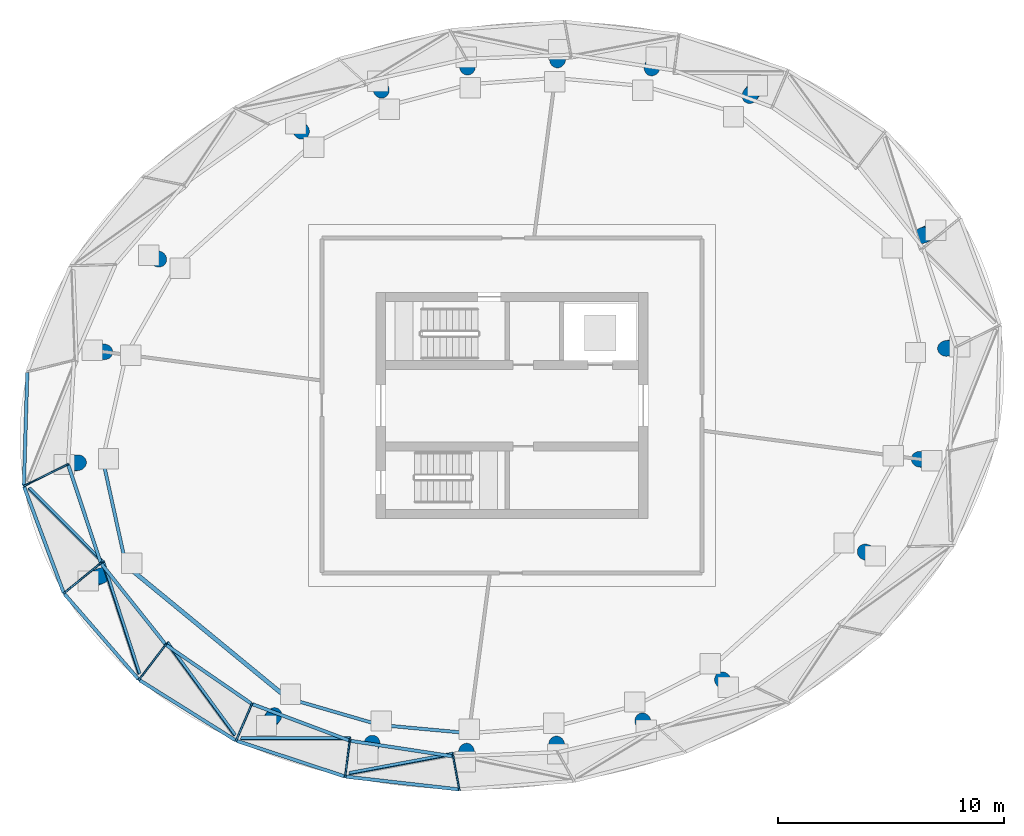
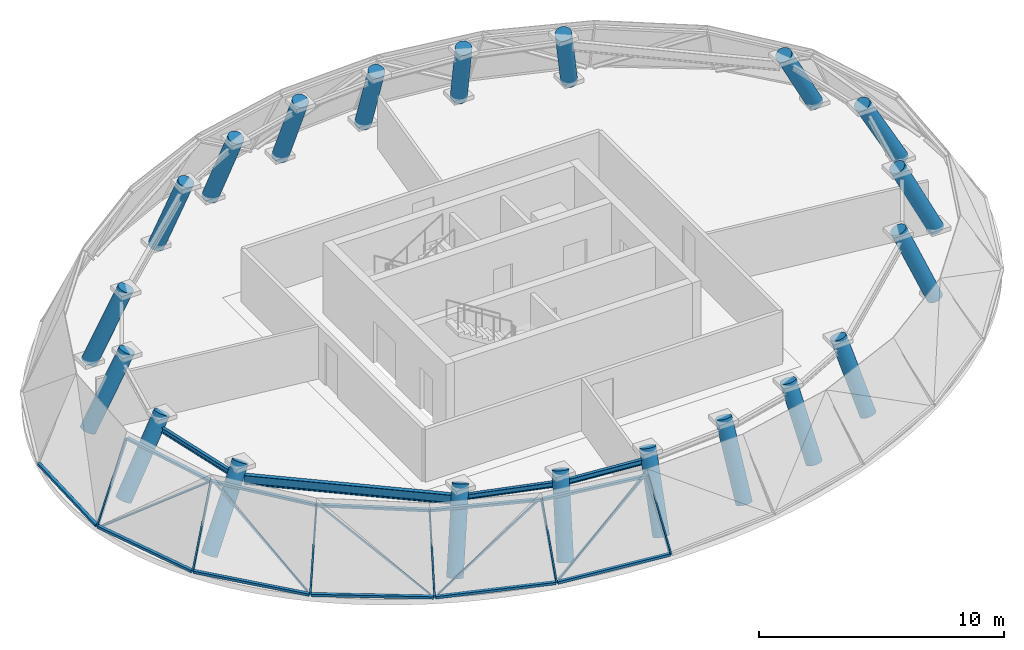
# One storey, part 1 of 9: 22 members, 20 columns, 4 beams, 12 elements without a shape of their own.
"""IFC4 building model written with IfcOpenShell, lengths in metres."""

from ifc_helpers import new_model, si_unit, direction, frame, origin, origin_2d, place, context, subcontext, project, spatial, rectangle, circle, i_section, extrude, source, transform, mapped, material, layer, layer_set, material_profile, profile_set, type_object, element, aggregate, save


model = new_model("IFC4")

# Units and contexts
model_context = context("Model", 3, precision=1e-05, world=origin(), true_north=direction((0.0, 1.0)))
body_context = subcontext(model_context, "Body", "Model", "MODEL_VIEW")
ifc_project = project(units=[si_unit("LENGTHUNIT", "METRE"), si_unit("AREAUNIT", "SQUARE_METRE"), si_unit("VOLUMEUNIT", "CUBIC_METRE"), si_unit("PLANEANGLEUNIT", "RADIAN"), si_unit("MASSUNIT", "GRAM", prefix="KILO")], contexts=[model_context])

# Site, building, storey
site_placement = place(None, origin())
site = spatial("IfcSite", under=ifc_project, at=site_placement, CompositionType="ELEMENT")
building_placement = place(site_placement, origin())
building = spatial("IfcBuilding", under=site, at=building_placement, Name="Spindrift Exchange Tower", CompositionType="ELEMENT")
storey_placement = place(building_placement, frame((0.0, 0.0, 269.60009765625)))
storey = spatial("IfcBuildingStorey", under=building, at=storey_placement, Name="L66", CompositionType="ELEMENT", Elevation=269.60009765625)

# Columns
ifc_material_1 = material(Name="Concrete 40 MPa", Category="concrete")
ifc_material_profile_1 = material_profile(ifc_material_1, circle(Radius=0.35009765625, at=origin_2d()), Name="RC D700")
ifc_profile_set_1 = profile_set([ifc_material_profile_1], Name="Concrete 40 MPa")
column_type = type_object("IfcColumnType", Name="RC Perimeter Column D700 Concrete 40 MPa", PredefinedType="COLUMN", material=ifc_profile_set_1)
shared_shape_1 = source(origin(), body_context, "Body", "SweptSolid", [
    extrude(circle(Radius=0.35009765625, at=origin_2d()), origin(), (0.0, 0.0, 1.0), 4.014404296875),
])
for number, where, z_axis, x_axis, name in (
    (1, (71.77734375, 50.603759765625, 0.17431640625), (-0.485558404991, -0.063918071599, 0.871864390525), (0.130512333023, -0.991446685873, 0.0), "Perimeter column P6-01 L66"),
    (2, (32.22265625, 45.396240234375, 0.17431640625), (0.485558404991, 0.063918071599, 0.871864390525), (-0.130512333023, 0.991446685873, 0.0), "Perimeter column P6-13 L66"),
):
    element("IfcColumn", number, at=place(storey_placement, frame(where, z_axis=z_axis, x_axis=x_axis)), inside=storey, type_object=column_type, Name=name, PredefinedType="COLUMN", context=body_context, shape_type="MappedRepresentation", body=[
        mapped(shared_shape_1, transform((0.0, 0.0, 0.0), scale=1.0)),
    ])
shared_shape_2 = source(origin(), body_context, "Body", "SweptSolid", [
    extrude(circle(Radius=0.35009765625, at=origin_2d()), origin(), (0.0, 0.0, 1.0), 4.0693359375),
])
for number, where, z_axis, x_axis, name in (
    (3, (70.719482421875, 55.75390625, 0.181396484375), (-0.471318965741, -0.195223003376, 0.860085118745), (0.382677234313, -0.923882099804, 0.0), "Perimeter column P6-02 L66"),
    (4, (33.280517578125, 40.24609375, 0.181396484375), (0.471318965741, 0.195223003376, 0.860085118745), (-0.382677234313, 0.923882099804, 0.0), "Perimeter column P6-14 L66"),
):
    element("IfcColumn", number, at=place(storey_placement, frame(where, z_axis=z_axis, x_axis=x_axis)), inside=storey, type_object=column_type, Name=name, PredefinedType="COLUMN", context=body_context, shape_type="MappedRepresentation", body=[
        mapped(shared_shape_2, transform((0.0, 0.0, 0.0), scale=1.0)),
    ])
shared_shape_3 = source(origin(), body_context, "Body", "SweptSolid", [
    extrude(circle(Radius=0.35009765625, at=origin_2d()), origin(), (0.0, 0.0, 1.0), 3.907958984375),
])
for number, where, z_axis, x_axis, name in (
    (5, (62.846923828125, 62.135986328125, 0.15869140625), (-0.270812901307, -0.352962604933, 0.895587947666), (0.793380296063, -0.608726297953, 0.0), "Perimeter column P6-04 L66"),
    (6, (41.153076171875, 33.864013671875, 0.15869140625), (0.270812901307, 0.352962604933, 0.895587947666), (-0.793380296063, 0.608726297953, 0.0), "Perimeter column P6-16 L66"),
):
    element("IfcColumn", number, at=place(storey_placement, frame(where, z_axis=z_axis, x_axis=x_axis)), inside=storey, type_object=column_type, Name=name, PredefinedType="COLUMN", context=body_context, shape_type="MappedRepresentation", body=[
        mapped(shared_shape_3, transform((0.0, 0.0, 0.0), scale=1.0)),
    ])
shared_shape_4 = source(origin(), body_context, "Body", "SweptSolid", [
    extrude(circle(Radius=0.35009765625, at=origin_2d()), origin(), (0.0, 0.0, 1.0), 3.83349609375),
])
for number, where, z_axis, x_axis, name in (
    (7, (58.37158203125, 63.382568359375, 0.145751953125), (-0.156091582457, -0.376950663633, 0.912986097963), (0.923919818464, -0.382586158989, 0.0), "Perimeter column P6-05 L66"),
    (8, (45.62841796875, 32.617431640625, 0.145751953125), (0.156091582457, 0.376950663633, 0.912986097963), (-0.923919818464, 0.382586158989, 0.0), "Perimeter column P6-17 L66"),
):
    element("IfcColumn", number, at=place(storey_placement, frame(where, z_axis=z_axis, x_axis=x_axis)), inside=storey, type_object=column_type, Name=name, PredefinedType="COLUMN", context=body_context, shape_type="MappedRepresentation", body=[
        mapped(shared_shape_4, transform((0.0, 0.0, 0.0), scale=1.0)),
    ])
shared_shape_5 = source(origin(), body_context, "Body", "SweptSolid", [
    extrude(circle(Radius=0.35009765625, at=origin_2d()), origin(), (0.0, 0.0, 1.0), 3.784423828125),
])
for number, where, z_axis, x_axis, name in (
    (9, (54.071044921875, 63.731201171875, 0.135986328125), (-0.049610189762, -0.377076149752, 0.924852640349), (0.991456027497, -0.130441349041, 0.0), "Perimeter column P6-06 L66"),
    (10, (49.928955078125, 32.268798828125, 0.135986328125), (0.049610189762, 0.377076149752, 0.924852640349), (-0.991456027497, 0.130441349041, 0.0), "Perimeter column P6-18 L66"),
):
    element("IfcColumn", number, at=place(storey_placement, frame(where, z_axis=z_axis, x_axis=x_axis)), inside=storey, type_object=column_type, Name=name, PredefinedType="COLUMN", context=body_context, shape_type="MappedRepresentation", body=[
        mapped(shared_shape_5, transform((0.0, 0.0, 0.0), scale=1.0)),
    ])
shared_shape_6 = source(origin(), body_context, "Body", "SweptSolid", [
    extrude(circle(Radius=0.35009765625, at=origin_2d()), origin(), (0.0, 0.0, 1.0), 3.75927734375),
])
for number, where, z_axis, x_axis, name in (
    (11, (49.97314453125, 63.39599609375, 0.130615234375), (0.047605122797, -0.361746976777, 0.93106008242), (0.991451871974, 0.130472930369, 0.0), "Perimeter column P6-07 L66"),
    (12, (54.02685546875, 32.60400390625, 0.130615234375), (-0.047605122797, 0.361746976777, 0.93106008242), (-0.991451871974, -0.130472930369, 0.0), "Perimeter column P6-19 L66"),
):
    element("IfcColumn", number, at=place(storey_placement, frame(where, z_axis=z_axis, x_axis=x_axis)), inside=storey, type_object=column_type, Name=name, PredefinedType="COLUMN", context=body_context, shape_type="MappedRepresentation", body=[
        mapped(shared_shape_6, transform((0.0, 0.0, 0.0), scale=1.0)),
    ])
shared_shape_7 = source(origin(), body_context, "Body", "SweptSolid", [
    extrude(circle(Radius=0.35009765625, at=origin_2d()), origin(), (0.0, 0.0, 1.0), 3.746826171875),
])
for number, where, z_axis, x_axis, name in (
    (13, (46.062744140625, 62.333984375, 0.127685546875), (0.136574670104, -0.329773094178, 0.934129041323), (0.923901142315, 0.382631257517, 0.0), "Perimeter column P6-08 L66"),
    (14, (57.937255859375, 33.666015625, 0.127685546875), (-0.136574670104, 0.329773094178, 0.934129041323), (-0.923901142315, -0.382631257517, 0.0), "Perimeter column P6-20 L66"),
):
    element("IfcColumn", number, at=place(storey_placement, frame(where, z_axis=z_axis, x_axis=x_axis)), inside=storey, type_object=column_type, Name=name, PredefinedType="COLUMN", context=body_context, shape_type="MappedRepresentation", body=[
        mapped(shared_shape_7, transform((0.0, 0.0, 0.0), scale=1.0)),
    ])
shared_shape_8 = source(origin(), body_context, "Body", "SweptSolid", [
    extrude(circle(Radius=0.35009765625, at=origin_2d()), origin(), (0.0, 0.0, 1.0), 3.73876953125),
])
for number, where, z_axis, x_axis, name in (
    (15, (42.4443359375, 60.453369140625, 0.1259765625), (0.213991301479, -0.278965773549, 0.936154805617), (0.793444906834, 0.60864207858, 0.0), "Perimeter column P6-09 L66"),
    (16, (61.5556640625, 35.546630859375, 0.1259765625), (-0.213991301479, 0.278965773549, 0.936154805617), (-0.793444906834, -0.60864207858, 0.0), "Perimeter column P6-21 L66"),
):
    element("IfcColumn", number, at=place(storey_placement, frame(where, z_axis=z_axis, x_axis=x_axis)), inside=storey, type_object=column_type, Name=name, PredefinedType="COLUMN", context=body_context, shape_type="MappedRepresentation", body=[
        mapped(shared_shape_8, transform((0.0, 0.0, 0.0), scale=1.0)),
    ])
shared_shape_9 = source(origin(), body_context, "Body", "SweptSolid", [
    extrude(circle(Radius=0.35009765625, at=origin_2d()), origin(), (0.0, 0.0, 1.0), 3.807373046875),
])
for number, where, z_axis, x_axis, name in (
    (17, (35.948486328125, 54.648681640625, 0.140625), (0.363645996148, -0.150626775693, 0.919278610613), (0.382682721486, 0.923879826967, 0.0), "Perimeter column P6-11 L66"),
    (18, (68.051513671875, 41.351318359375, 0.140625), (-0.363645996148, 0.150626775693, 0.919278610613), (-0.382682721486, -0.923879826967, 0.0), "Perimeter column P6-23 L66"),
):
    element("IfcColumn", number, at=place(storey_placement, frame(where, z_axis=z_axis, x_axis=x_axis)), inside=storey, type_object=column_type, Name=name, PredefinedType="COLUMN", context=body_context, shape_type="MappedRepresentation", body=[
        mapped(shared_shape_9, transform((0.0, 0.0, 0.0), scale=1.0)),
    ])
shared_shape_10 = source(origin(), body_context, "Body", "SweptSolid", [
    extrude(circle(Radius=0.35009765625, at=origin_2d()), origin(), (0.0, 0.0, 1.0), 3.898193359375),
])
for number, where, z_axis, x_axis, name in (
    (19, (33.4599609375, 50.44091796875, 0.156982421875), (0.436576513493, -0.057492072785, 0.897828273911), (0.13056120367, 0.9914402514, 0.0), "Perimeter column P6-12 L66"),
    (20, (70.5400390625, 45.55908203125, 0.156982421875), (-0.436576513493, 0.057492072785, 0.897828273911), (-0.13056120367, -0.9914402514, 0.0), "Perimeter column P6-24 L66"),
):
    element("IfcColumn", number, at=place(storey_placement, frame(where, z_axis=z_axis, x_axis=x_axis)), inside=storey, type_object=column_type, Name=name, PredefinedType="COLUMN", context=body_context, shape_type="MappedRepresentation", body=[
        mapped(shared_shape_10, transform((0.0, 0.0, 0.0), scale=1.0)),
    ])

# Beams
ifc_material_2 = material(Name="Steel Grade 300", Category="steel")
ifc_material_profile_2 = material_profile(ifc_material_2, i_section(OverallWidth=0.14599609375, OverallDepth=0.251953125, WebThickness=0.006103515625, FlangeThickness=0.008544921875, FilletRadius=0.011962890625, at=origin_2d()), Name="250UB31.4")
ifc_profile_set_2 = profile_set([ifc_material_profile_2], Name="Steel Grade 300")
beam_type_1 = type_object("IfcBeamType", Name="Edge Beam 250UB31.4 Steel Grade 300", PredefinedType="SPANDREL", material=ifc_profile_set_2)
shared_shape_11 = source(origin(), body_context, "Body", "SweptSolid", [
    extrude(i_section(OverallWidth=0.14599609375, OverallDepth=0.251953125, WebThickness=0.006103515625, FlangeThickness=0.008544921875, FilletRadius=0.011962890625, at=origin_2d()), origin(), (0.0, 0.0, 1.0), 4.134765625),
])
beam_1_placement = place(storey_placement, frame((33.989501953125, 45.297119140625, 3.093994140625), z_axis=(0.214159978233, -0.976798599366, 0.0), x_axis=(0.976798599366, 0.214159978233, 0.0)))
element("IfcBeam", 21, at=beam_1_placement, inside=storey, type_object=beam_type_1, Name="L66 edge beam E13", PredefinedType="SPANDREL", context=body_context, shape_type="MappedRepresentation", body=[
    mapped(shared_shape_11, transform((0.0, 0.0, 0.0), scale=1.0)),
])
ifc_material_profile_3 = material_profile(ifc_material_2, i_section(OverallWidth=0.18994140625, OverallDepth=0.45703125, WebThickness=0.009033203125, FlangeThickness=0.014404296875, FilletRadius=0.013916015625, at=origin_2d()), Name="460UB74.6")
ifc_profile_set_3 = profile_set([ifc_material_profile_3], Name="Steel Grade 300")
beam_type_2 = type_object("IfcBeamType", Name="Edge Beam 460UB74.6 Steel Grade 300", PredefinedType="SPANDREL", material=ifc_profile_set_3)
shared_shape_12 = source(origin(), body_context, "Body", "SweptSolid", [
    extrude(i_section(OverallWidth=0.18994140625, OverallDepth=0.45703125, WebThickness=0.009033203125, FlangeThickness=0.014404296875, FilletRadius=0.013916015625, at=origin_2d()), origin(), (0.0, 0.0, 1.0), 8.5751953125),
])
beam_2_placement = place(storey_placement, frame((35.200439453125, 40.726318359375, 2.991455078125), z_axis=(0.772409966966, -0.635124273612, 0.0), x_axis=(0.635124273612, 0.772409966966, 0.0)))
element("IfcBeam", 22, at=beam_2_placement, inside=storey, type_object=beam_type_2, Name="L66 edge beam E14", PredefinedType="SPANDREL", context=body_context, shape_type="MappedRepresentation", body=[
    mapped(shared_shape_12, transform((0.0, 0.0, 0.0), scale=1.0)),
])
shared_shape_13 = source(origin(), body_context, "Body", "SweptSolid", [
    extrude(i_section(OverallWidth=0.14599609375, OverallDepth=0.251953125, WebThickness=0.006103515625, FlangeThickness=0.008544921875, FilletRadius=0.011962890625, at=origin_2d()), origin(), (0.0, 0.0, 1.0), 3.583740234375),
])
beam_3_placement = place(storey_placement, frame((42.395751953125, 34.978515625, 3.093994140625), z_axis=(0.960298550949, -0.278974359119, 0.0), x_axis=(0.278974359119, 0.960298550949, 0.0)))
element("IfcBeam", 23, at=beam_3_placement, inside=storey, type_object=beam_type_1, Name="L66 edge beam E16", PredefinedType="SPANDREL", context=body_context, shape_type="MappedRepresentation", body=[
    mapped(shared_shape_13, transform((0.0, 0.0, 0.0), scale=1.0)),
])
shared_shape_14 = source(origin(), body_context, "Body", "SweptSolid", [
    extrude(i_section(OverallWidth=0.14599609375, OverallDepth=0.251953125, WebThickness=0.006103515625, FlangeThickness=0.008544921875, FilletRadius=0.011962890625, at=origin_2d()), origin(), (0.0, 0.0, 1.0), 3.296875),
])
beam_4_placement = place(storey_placement, frame((46.482666015625, 33.856689453125, 3.093994140625), z_axis=(0.995836564252, -0.091156663489, 0.0), x_axis=(0.091156663489, 0.995836564252, 0.0)))
element("IfcBeam", 24, at=beam_4_placement, inside=storey, type_object=beam_type_1, Name="L66 edge beam E17", PredefinedType="SPANDREL", context=body_context, shape_type="MappedRepresentation", body=[
    mapped(shared_shape_14, transform((0.0, 0.0, 0.0), scale=1.0)),
])

# Curtain wall, member
ifc_material_3 = material(Name="Fritted laminated glass with bronze frame", Category="glass")
ifc_layer = layer(ifc_material_3, 0.14990234375)
ifc_layer_set = layer_set([ifc_layer], Name="CROWN BRONZE RAKED GLAZED WALL")
curtain_wall_type = type_object("IfcCurtainWallType", Name="CROWN BRONZE RAKED GLAZED WALL", PredefinedType="NOTDEFINED", material=ifc_layer_set)
curtain_wall_1_placement = place(storey_placement, origin())
curtain_wall_1 = element("IfcCurtainWall", 25, at=curtain_wall_1_placement, inside=storey, type_object=curtain_wall_type, Name="L66 Crown Bronze Raked Glazed Wall facet 25", PredefinedType="NOTDEFINED")
ifc_material_4 = material(Name="Bronze anodised aluminium", Category="aluminium")
ifc_material_profile_4 = material_profile(ifc_material_4, rectangle(XDim=0.14990234375, YDim=0.1201171875, at=origin_2d()), Name="CROWN BRONZE RAKED GLAZED WALL TRANSOM 150X120")
ifc_profile_set_4 = profile_set([ifc_material_profile_4], Name="Bronze anodised aluminium")
member_type_1 = type_object("IfcMemberType", Name="CROWN BRONZE RAKED GLAZED WALL TRANSOM 150X120", PredefinedType="USERDEFINED", material=ifc_profile_set_4)
shared_shape_15 = source(origin(), body_context, "Body", "SweptSolid", [
    extrude(rectangle(XDim=0.14990234375, YDim=0.1201171875, at=origin_2d()), origin(), (0.0, 0.0, 1.0), 4.983154296875),
])
member_1_placement = place(storey_placement, frame((30.444091796875, 44.41064453125, 0.059814453125), z_axis=(0.349469202336, -0.936947851601, 0.0), x_axis=(0.936947851601, 0.349469202336, 0.0)))
member_1 = element("IfcMember", 26, at=member_1_placement, type_object=member_type_1, Name="L66 transom CW-R.13a", ObjectType="TRANSOM", PredefinedType="USERDEFINED", context=body_context, shape_type="MappedRepresentation", body=[
    mapped(shared_shape_15, transform((0.0, 0.0, 0.0), scale=1.0)),
])

# Curtain wall, members
curtain_wall_2_placement = place(storey_placement, origin())
curtain_wall_2 = element("IfcCurtainWall", 27, at=curtain_wall_2_placement, inside=storey, type_object=curtain_wall_type, Name="L66 Crown Bronze Raked Glazed Wall facet 26", PredefinedType="NOTDEFINED")
shared_shape_16 = source(origin(), body_context, "Body", "SweptSolid", [
    extrude(rectangle(XDim=0.14990234375, YDim=0.1201171875, at=origin_2d()), origin(), (0.0, 0.0, 1.0), 4.533203125),
])
member_2_placement = place(storey_placement, frame((32.393798828125, 45.375732421875, 3.159912109375), z_axis=(0.315112723988, -0.949054250916, 0.0), x_axis=(0.949054250916, 0.315112723988, 0.0)))
member_2 = element("IfcMember", 28, at=member_2_placement, type_object=member_type_1, Name="L66 transom CW-R.13b", ObjectType="TRANSOM", PredefinedType="USERDEFINED", context=body_context, shape_type="MappedRepresentation", body=[
    mapped(shared_shape_16, transform((0.0, 0.0, 0.0), scale=1.0)),
])
ifc_material_profile_5 = material_profile(ifc_material_4, rectangle(XDim=0.070068359375, YDim=0.14990234375, at=origin_2d()), Name="CROWN BRONZE RAKED GLAZED WALL MULLION 70X150")
ifc_profile_set_5 = profile_set([ifc_material_profile_5], Name="Bronze anodised aluminium")
member_type_2 = type_object("IfcMemberType", Name="CROWN BRONZE RAKED GLAZED WALL MULLION 70X150", PredefinedType="MULLION", material=ifc_profile_set_5)
shared_shape_17 = source(origin(), body_context, "Body", "SweptSolid", [
    extrude(rectangle(XDim=0.070068359375, YDim=0.14990234375, at=origin_2d()), origin(), (0.0, 0.0, 1.0), 3.785400390625),
])
member_3_placement = place(storey_placement, frame((30.457275390625, 44.4560546875, 0.0419921875), z_axis=(0.5019650267, 0.248434958608, 0.828439003978), x_axis=(-0.443571045789, 0.896239213234, 0.0)))
member_3 = element("IfcMember", 29, at=member_3_placement, type_object=member_type_2, Name="L66 mullion CW-R.13", PredefinedType="MULLION", context=body_context, shape_type="MappedRepresentation", body=[
    mapped(shared_shape_17, transform((0.0, 0.0, 0.0), scale=1.0)),
])
aggregate(curtain_wall_2, [member_2, member_3])

# Member
shared_shape_18 = source(origin(), body_context, "Body", "SweptSolid", [
    extrude(rectangle(XDim=0.070068359375, YDim=0.14990234375, at=origin_2d()), origin(), (0.0, 0.0, 1.0), 5.565673828125),
])
member_4_placement = place(storey_placement, frame((30.669189453125, 44.345458984375, 0.062255859375), z_axis=(0.58749733632, -0.587804398319, 0.55617701241), x_axis=(0.140893518342, 0.751097678345, 0.644981623051)))
member_4 = element("IfcMember", 30, at=member_4_placement, type_object=member_type_2, Name="L66 glazing bar CW-R.13", PredefinedType="MULLION", context=body_context, shape_type="MappedRepresentation", body=[
    mapped(shared_shape_18, transform((0.0, 0.0, 0.0), scale=1.0)),
])

aggregate(curtain_wall_1, [member_1, member_4])

# Curtain wall, member
curtain_wall_3_placement = place(storey_placement, origin())
curtain_wall_3 = element("IfcCurtainWall", 31, at=curtain_wall_3_placement, inside=storey, type_object=curtain_wall_type, Name="L66 Crown Bronze Raked Glazed Wall facet 27", PredefinedType="NOTDEFINED")
shared_shape_19 = source(origin(), body_context, "Body", "SweptSolid", [
    extrude(rectangle(XDim=0.14990234375, YDim=0.1201171875, at=origin_2d()), origin(), (0.0, 0.0, 1.0), 4.9912109375),
])
member_5_placement = place(storey_placement, frame((35.4912109375, 35.912353515625, 0.059814453125), z_axis=(-0.655267540961, 0.755396882283, 0.0), x_axis=(-0.755396882283, -0.655267540961, 0.0)))
member_5 = element("IfcMember", 32, at=member_5_placement, type_object=member_type_1, Name="L66 transom CW-R.14a", ObjectType="TRANSOM", PredefinedType="USERDEFINED", context=body_context, shape_type="MappedRepresentation", body=[
    mapped(shared_shape_19, transform((0.0, 0.0, 0.0), scale=1.0)),
])

curtain_wall_4_placement = place(storey_placement, origin())
curtain_wall_4 = element("IfcCurtainWall", 33, at=curtain_wall_4_placement, inside=storey, type_object=curtain_wall_type, Name="L66 Crown Bronze Raked Glazed Wall facet 28", PredefinedType="NOTDEFINED")
shared_shape_20 = source(origin(), body_context, "Body", "SweptSolid", [
    extrude(rectangle(XDim=0.14990234375, YDim=0.1201171875, at=origin_2d()), origin(), (0.0, 0.0, 1.0), 4.5400390625),
])
member_6_placement = place(storey_placement, frame((36.6826171875, 37.460693359375, 3.159912109375), z_axis=(-0.62281769166, 0.78236700017, 0.0), x_axis=(-0.78236700017, -0.62281769166, 0.0)))
member_6 = element("IfcMember", 34, at=member_6_placement, type_object=member_type_1, Name="L66 transom CW-R.14b", ObjectType="TRANSOM", PredefinedType="USERDEFINED", context=body_context, shape_type="MappedRepresentation", body=[
    mapped(shared_shape_20, transform((0.0, 0.0, 0.0), scale=1.0)),
])

# Member
shared_shape_21 = source(origin(), body_context, "Body", "SweptSolid", [
    extrude(rectangle(XDim=0.070068359375, YDim=0.14990234375, at=origin_2d()), origin(), (0.0, 0.0, 1.0), 3.750732421875),
])
member_7_placement = place(storey_placement, frame((32.218505859375, 39.72607421875, 0.041015625), z_axis=(0.424974947125, 0.345825071845, 0.836541280511), x_axis=(-0.631178333431, 0.77563774496, 0.0)))
member_7 = element("IfcMember", 35, at=member_7_placement, type_object=member_type_2, Name="L66 mullion CW-R.14", PredefinedType="MULLION", context=body_context, shape_type="MappedRepresentation", body=[
    mapped(shared_shape_21, transform((0.0, 0.0, 0.0), scale=1.0)),
])

aggregate(curtain_wall_3, [member_5, member_7])

shared_shape_22 = source(origin(), body_context, "Body", "SweptSolid", [
    extrude(rectangle(XDim=0.070068359375, YDim=0.14990234375, at=origin_2d()), origin(), (0.0, 0.0, 1.0), 6.052978515625),
])
member_8_placement = place(storey_placement, frame((35.5322265625, 36.160400390625, 0.064453125), z_axis=(-0.266530204402, 0.817418450727, 0.510674775716), x_axis=(-0.689072709061, 0.208854092306, -0.693944356382)))
member_8 = element("IfcMember", 36, at=member_8_placement, type_object=member_type_2, Name="L66 glazing bar CW-R.14", PredefinedType="MULLION", context=body_context, shape_type="MappedRepresentation", body=[
    mapped(shared_shape_22, transform((0.0, 0.0, 0.0), scale=1.0)),
])

aggregate(curtain_wall_4, [member_6, member_8])

# Curtain wall, member
curtain_wall_5_placement = place(storey_placement, origin())
curtain_wall_5 = element("IfcCurtainWall", 37, at=curtain_wall_5_placement, inside=storey, type_object=curtain_wall_type, Name="L66 Crown Bronze Raked Glazed Wall facet 29", PredefinedType="NOTDEFINED")
shared_shape_23 = source(origin(), body_context, "Body", "SweptSolid", [
    extrude(rectangle(XDim=0.14990234375, YDim=0.1201171875, at=origin_2d()), origin(), (0.0, 0.0, 1.0), 4.999267578125),
])
member_9_placement = place(storey_placement, frame((39.779541015625, 33.212158203125, 0.059814453125), z_axis=(-0.847311689252, 0.531095943551, 0.0), x_axis=(-0.531095943551, -0.847311689252, 0.0)))
member_9 = element("IfcMember", 38, at=member_9_placement, type_object=member_type_1, Name="L66 transom CW-R.15a", ObjectType="TRANSOM", PredefinedType="USERDEFINED", context=body_context, shape_type="MappedRepresentation", body=[
    mapped(shared_shape_23, transform((0.0, 0.0, 0.0), scale=1.0)),
])

curtain_wall_6_placement = place(storey_placement, origin())
curtain_wall_6 = element("IfcCurtainWall", 39, at=curtain_wall_6_placement, inside=storey, type_object=curtain_wall_type, Name="L66 Crown Bronze Raked Glazed Wall facet 30", PredefinedType="NOTDEFINED")
shared_shape_24 = source(origin(), body_context, "Body", "SweptSolid", [
    extrude(rectangle(XDim=0.14990234375, YDim=0.1201171875, at=origin_2d()), origin(), (0.0, 0.0, 1.0), 4.546630859375),
])
member_10_placement = place(storey_placement, frame((40.477783203125, 34.8349609375, 3.159912109375), z_axis=(-0.82361239241, 0.567153089623, 0.0), x_axis=(-0.567153089623, -0.82361239241, 0.0)))
member_10 = element("IfcMember", 40, at=member_10_placement, type_object=member_type_1, Name="L66 transom CW-R.15b", ObjectType="TRANSOM", PredefinedType="USERDEFINED", context=body_context, shape_type="MappedRepresentation", body=[
    mapped(shared_shape_24, transform((0.0, 0.0, 0.0), scale=1.0)),
])

# Member
shared_shape_25 = source(origin(), body_context, "Body", "SweptSolid", [
    extrude(rectangle(XDim=0.070068359375, YDim=0.14990234375, at=origin_2d()), origin(), (0.0, 0.0, 1.0), 3.674560546875),
])
member_11_placement = place(storey_placement, frame((35.528564453125, 35.904541015625, 0.038818359375), z_axis=(0.316058772705, 0.411002641991, 0.855092790563), x_axis=(-0.792714492796, 0.609593087978, 0.0)))
member_11 = element("IfcMember", 41, at=member_11_placement, type_object=member_type_2, Name="L66 mullion CW-R.15", PredefinedType="MULLION", context=body_context, shape_type="MappedRepresentation", body=[
    mapped(shared_shape_25, transform((0.0, 0.0, 0.0), scale=1.0)),
])

aggregate(curtain_wall_5, [member_9, member_11])

shared_shape_26 = source(origin(), body_context, "Body", "SweptSolid", [
    extrude(rectangle(XDim=0.070068359375, YDim=0.14990234375, at=origin_2d()), origin(), (0.0, 0.0, 1.0), 5.918212890625),
])
member_12_placement = place(storey_placement, frame((39.75244140625, 33.449462890625, 0.063720703125), z_axis=(-0.503764568735, 0.687911721932, 0.522492796233), x_axis=(-0.706329531677, 0.020190940785, -0.707595165749)))
member_12 = element("IfcMember", 42, at=member_12_placement, type_object=member_type_2, Name="L66 glazing bar CW-R.15", PredefinedType="MULLION", context=body_context, shape_type="MappedRepresentation", body=[
    mapped(shared_shape_26, transform((0.0, 0.0, 0.0), scale=1.0)),
])

aggregate(curtain_wall_6, [member_10, member_12])

# Curtain wall, member
curtain_wall_7_placement = place(storey_placement, origin())
curtain_wall_7 = element("IfcCurtainWall", 43, at=curtain_wall_7_placement, inside=storey, type_object=curtain_wall_type, Name="L66 Crown Bronze Raked Glazed Wall facet 31", PredefinedType="NOTDEFINED")
shared_shape_27 = source(origin(), body_context, "Body", "SweptSolid", [
    extrude(rectangle(XDim=0.14990234375, YDim=0.1201171875, at=origin_2d()), origin(), (0.0, 0.0, 1.0), 5.003662109375),
])
member_13_placement = place(storey_placement, frame((39.842529296875, 33.1826171875, 0.059814453125), z_axis=(0.949814055386, -0.312815057489, 0.0), x_axis=(0.312815057489, 0.949814055386, 0.0)))
member_13 = element("IfcMember", 44, at=member_13_placement, type_object=member_type_1, Name="L66 transom CW-R.16a", ObjectType="TRANSOM", PredefinedType="USERDEFINED", context=body_context, shape_type="MappedRepresentation", body=[
    mapped(shared_shape_27, transform((0.0, 0.0, 0.0), scale=1.0)),
])

# Curtain wall, members
curtain_wall_8_placement = place(storey_placement, origin())
curtain_wall_8 = element("IfcCurtainWall", 45, at=curtain_wall_8_placement, inside=storey, type_object=curtain_wall_type, Name="L66 Crown Bronze Raked Glazed Wall facet 32", PredefinedType="NOTDEFINED")
shared_shape_28 = source(origin(), body_context, "Body", "SweptSolid", [
    extrude(rectangle(XDim=0.14990234375, YDim=0.1201171875, at=origin_2d()), origin(), (0.0, 0.0, 1.0), 4.55078125),
])
member_14_placement = place(storey_placement, frame((40.539306640625, 34.802734375, 3.159912109375), z_axis=(0.93618358211, -0.351511451575, 0.0), x_axis=(0.351511451575, 0.93618358211, 0.0)))
member_14 = element("IfcMember", 46, at=member_14_placement, type_object=member_type_1, Name="L66 transom CW-R.16b", ObjectType="TRANSOM", PredefinedType="USERDEFINED", context=body_context, shape_type="MappedRepresentation", body=[
    mapped(shared_shape_28, transform((0.0, 0.0, 0.0), scale=1.0)),
])
shared_shape_29 = source(origin(), body_context, "Body", "SweptSolid", [
    extrude(rectangle(XDim=0.070068359375, YDim=0.14990234375, at=origin_2d()), origin(), (0.0, 0.0, 1.0), 3.58984375),
])
member_15_placement = place(storey_placement, frame((39.81689453125, 33.2119140625, 0.035888671875), z_axis=(0.189950714935, 0.441518095724, 0.876915330602), x_axis=(-0.918595228851, 0.395199703355, 0.0)))
member_15 = element("IfcMember", 47, at=member_15_placement, type_object=member_type_2, Name="L66 mullion CW-R.16", PredefinedType="MULLION", context=body_context, shape_type="MappedRepresentation", body=[
    mapped(shared_shape_29, transform((0.0, 0.0, 0.0), scale=1.0)),
])
aggregate(curtain_wall_8, [member_14, member_15])

# Member
shared_shape_30 = source(origin(), body_context, "Body", "SweptSolid", [
    extrude(rectangle(XDim=0.070068359375, YDim=0.14990234375, at=origin_2d()), origin(), (0.0, 0.0, 1.0), 5.732666015625),
])
member_16_placement = place(storey_placement, frame((40.03076171875, 33.301513671875, 0.06298828125), z_axis=(0.841875077524, -0.000468465492, 0.539672247187), x_axis=(-0.459573699909, 0.523603844855, 0.717377883688)))
member_16 = element("IfcMember", 48, at=member_16_placement, type_object=member_type_2, Name="L66 glazing bar CW-R.16", PredefinedType="MULLION", context=body_context, shape_type="MappedRepresentation", body=[
    mapped(shared_shape_30, transform((0.0, 0.0, 0.0), scale=1.0)),
])

aggregate(curtain_wall_7, [member_13, member_16])

# Curtain wall, member
curtain_wall_9_placement = place(storey_placement, origin())
curtain_wall_9 = element("IfcCurtainWall", 49, at=curtain_wall_9_placement, inside=storey, type_object=curtain_wall_type, Name="L66 Crown Bronze Raked Glazed Wall facet 33", PredefinedType="NOTDEFINED")
shared_shape_31 = source(origin(), body_context, "Body", "SweptSolid", [
    extrude(rectangle(XDim=0.14990234375, YDim=0.1201171875, at=origin_2d()), origin(), (0.0, 0.0, 1.0), 5.006103515625),
])
member_17_placement = place(storey_placement, frame((44.6630859375, 31.6025390625, 0.059814453125), z_axis=(0.993672597982, -0.112315484327, 0.0), x_axis=(0.112315484327, 0.993672597982, 0.0)))
member_17 = element("IfcMember", 50, at=member_17_placement, type_object=member_type_1, Name="L66 transom CW-R.17a", ObjectType="TRANSOM", PredefinedType="USERDEFINED", context=body_context, shape_type="MappedRepresentation", body=[
    mapped(shared_shape_31, transform((0.0, 0.0, 0.0), scale=1.0)),
])

# Curtain wall, members
curtain_wall_10_placement = place(storey_placement, origin())
curtain_wall_10 = element("IfcCurtainWall", 51, at=curtain_wall_10_placement, inside=storey, type_object=curtain_wall_type, Name="L66 Crown Bronze Raked Glazed Wall facet 34", PredefinedType="NOTDEFINED")
shared_shape_32 = source(origin(), body_context, "Body", "SweptSolid", [
    extrude(rectangle(XDim=0.14990234375, YDim=0.1201171875, at=origin_2d()), origin(), (0.0, 0.0, 1.0), 4.552734375),
])
member_18_placement = place(storey_placement, frame((44.866943359375, 33.185546875, 3.159912109375), z_axis=(0.988728497465, -0.149719598922, 0.0), x_axis=(0.149719598922, 0.988728497465, 0.0)))
member_18 = element("IfcMember", 52, at=member_18_placement, type_object=member_type_1, Name="L66 transom CW-R.17b", ObjectType="TRANSOM", PredefinedType="USERDEFINED", context=body_context, shape_type="MappedRepresentation", body=[
    mapped(shared_shape_32, transform((0.0, 0.0, 0.0), scale=1.0)),
])
shared_shape_33 = source(origin(), body_context, "Body", "SweptSolid", [
    extrude(rectangle(XDim=0.070068359375, YDim=0.14990234375, at=origin_2d()), origin(), (0.0, 0.0, 1.0), 3.52001953125),
])
member_19_placement = place(storey_placement, frame((44.63037109375, 31.622802734375, 0.033203125), z_axis=(0.056803842257, 0.440767298588, 0.895822254691), x_axis=(-0.991797662481, 0.127817826211, 0.0)))
member_19 = element("IfcMember", 53, at=member_19_placement, type_object=member_type_2, Name="L66 mullion CW-R.17", PredefinedType="MULLION", context=body_context, shape_type="MappedRepresentation", body=[
    mapped(shared_shape_33, transform((0.0, 0.0, 0.0), scale=1.0)),
])
aggregate(curtain_wall_10, [member_18, member_19])

# Member
shared_shape_34 = source(origin(), body_context, "Body", "SweptSolid", [
    extrude(rectangle(XDim=0.070068359375, YDim=0.14990234375, at=origin_2d()), origin(), (0.0, 0.0, 1.0), 5.6015625),
])
member_20_placement = place(storey_placement, frame((44.810791015625, 31.75341796875, 0.0625), z_axis=(0.819316173718, 0.153071518358, 0.552530648698), x_axis=(-0.563714929591, 0.390928765615, 0.727598913118)))
member_20 = element("IfcMember", 54, at=member_20_placement, type_object=member_type_2, Name="L66 glazing bar CW-R.17", PredefinedType="MULLION", context=body_context, shape_type="MappedRepresentation", body=[
    mapped(shared_shape_34, transform((0.0, 0.0, 0.0), scale=1.0)),
])

aggregate(curtain_wall_9, [member_17, member_20])

# Curtain wall, member
curtain_wall_11_placement = place(storey_placement, origin())
curtain_wall_11 = element("IfcCurtainWall", 55, at=curtain_wall_11_placement, inside=storey, type_object=curtain_wall_type, Name="L66 Crown Bronze Raked Glazed Wall facet 35", PredefinedType="NOTDEFINED")
shared_shape_35 = source(origin(), body_context, "Body", "SweptSolid", [
    extrude(rectangle(XDim=0.070068359375, YDim=0.14990234375, at=origin_2d()), origin(), (0.0, 0.0, 1.0), 3.4775390625),
])
member_21_placement = place(storey_placement, frame((49.669677734375, 31.050537109375, 0.03125), z_axis=(-0.075890522874, 0.412308085885, 0.907878114535), x_axis=(-0.983479087928, -0.181021776613, 0.0)))
member_21 = element("IfcMember", 56, at=member_21_placement, type_object=member_type_2, Name="L66 mullion CW-R.18", PredefinedType="MULLION", context=body_context, shape_type="MappedRepresentation", body=[
    mapped(shared_shape_35, transform((0.0, 0.0, 0.0), scale=1.0)),
])
aggregate(curtain_wall_11, [member_21])

curtain_wall_12_placement = place(storey_placement, origin())
curtain_wall_12 = element("IfcCurtainWall", 57, at=curtain_wall_12_placement, inside=storey, type_object=curtain_wall_type, Name="L66 Crown Bronze Raked Glazed Wall facet 23", PredefinedType="NOTDEFINED")
shared_shape_36 = source(origin(), body_context, "Body", "SweptSolid", [
    extrude(rectangle(XDim=0.14990234375, YDim=0.1201171875, at=origin_2d()), origin(), (0.0, 0.0, 1.0), 4.98291015625),
])
member_22_placement = place(storey_placement, frame((30.432861328125, 44.478515625, 0.059814453125), z_axis=(0.030180843293, 0.999544454588, 0.0), x_axis=(-0.999544454588, 0.030180843293, 0.0)))
member_22 = element("IfcMember", 58, at=member_22_placement, type_object=member_type_1, Name="L66 transom CW-R.12a", ObjectType="TRANSOM", PredefinedType="USERDEFINED", context=body_context, shape_type="MappedRepresentation", body=[
    mapped(shared_shape_36, transform((0.0, 0.0, 0.0), scale=1.0)),
])
aggregate(curtain_wall_12, [member_22])

save(model, "model.ifc")
